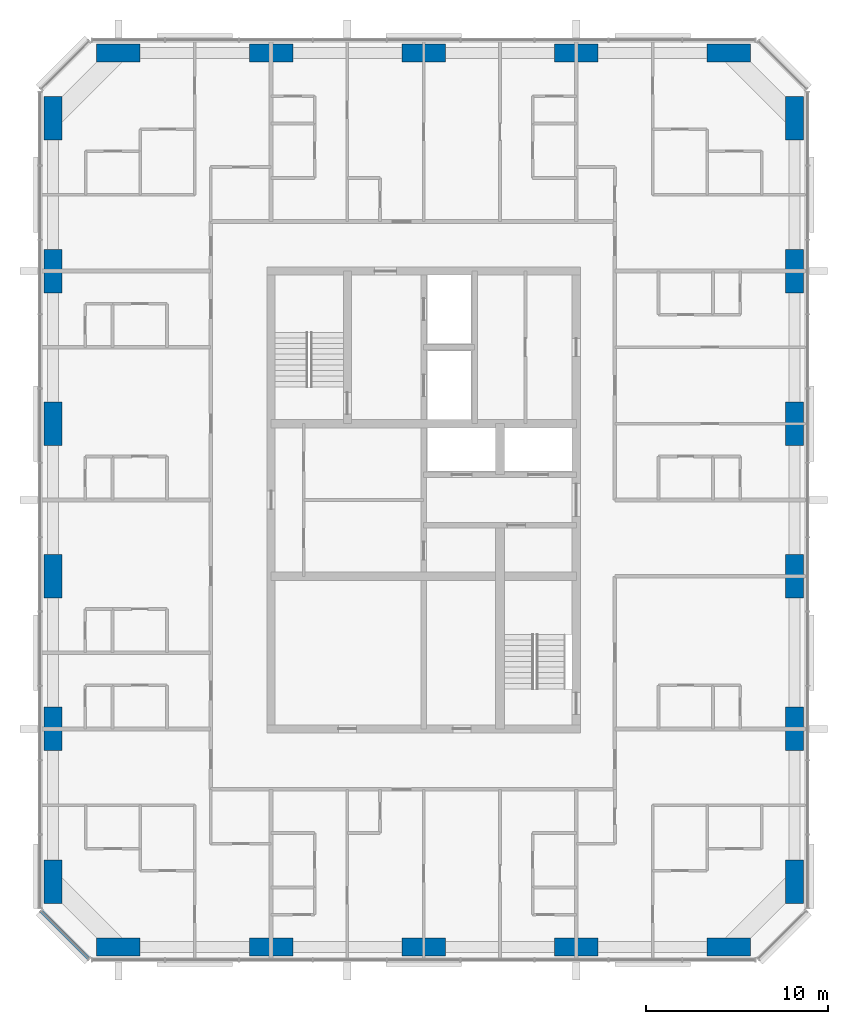
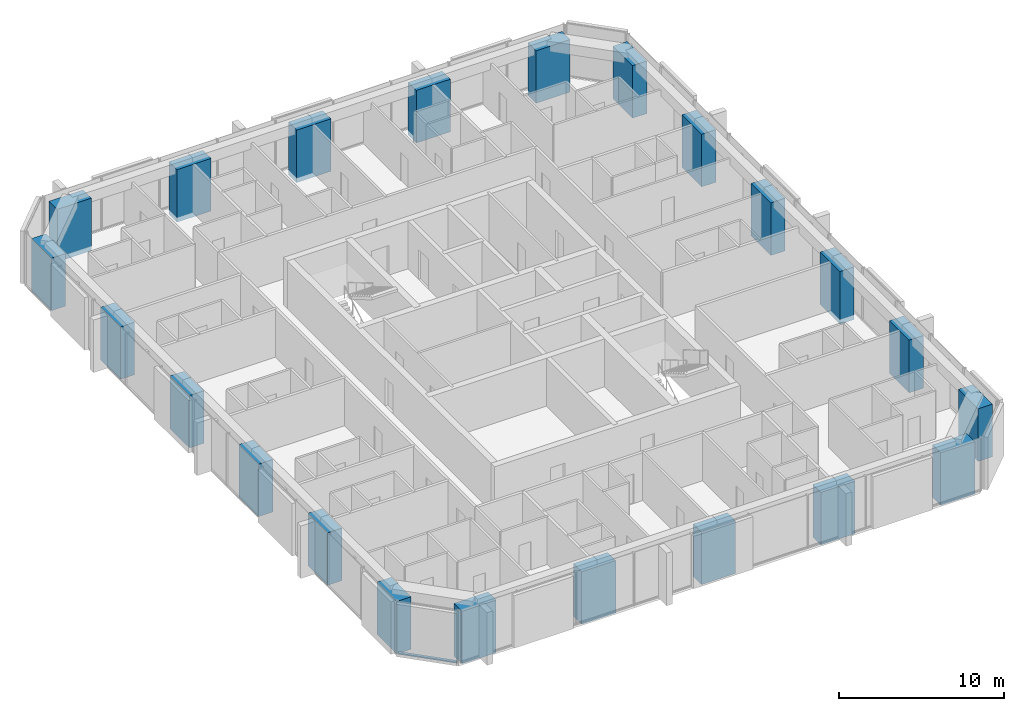
# One storey, part 1 of 13: 22 columns, 1 member, 1 element without a shape of its own.
"""IFC4 building model written with IfcOpenShell, lengths in metres."""

from ifc_helpers import new_model, si_unit, direction, frame, origin, origin_2d, place, context, subcontext, project, spatial, rectangle, extrude, material, material_profile, profile_set, type_object, element, aggregate, save


model = new_model("IFC4")

# Units and contexts
model_context = context("Model", 3, precision=1e-05, world=origin(), true_north=direction((0.0, 1.0)))
body_context = subcontext(model_context, "Body", "Model", "MODEL_VIEW")
ifc_project = project(units=[si_unit("LENGTHUNIT", "METRE"), si_unit("AREAUNIT", "SQUARE_METRE"), si_unit("VOLUMEUNIT", "CUBIC_METRE"), si_unit("PLANEANGLEUNIT", "RADIAN"), si_unit("MASSUNIT", "GRAM", prefix="KILO")], contexts=[model_context])

# Site, building, storey
site_placement = place(None, origin())
site = spatial("IfcSite", under=ifc_project, at=site_placement, CompositionType="ELEMENT")
building_placement = place(site_placement, origin())
building = spatial("IfcBuilding", under=site, at=building_placement, Name="Dunama Terrace Hotel", CompositionType="ELEMENT")
storey_placement = place(building_placement, frame((0.0, 0.0, 276.300048828125)))
storey = spatial("IfcBuildingStorey", under=building, at=storey_placement, Name="L71", CompositionType="ELEMENT", Elevation=276.300048828125)

# Columns
ifc_material_1 = material(Name="Concrete C50/60", Category="concrete")
ifc_material_profile_1 = material_profile(ifc_material_1, rectangle(XDim=1.0, YDim=2.39990234375, at=origin_2d()), Name="RC 1000x2400")
ifc_profile_set_1 = profile_set([ifc_material_profile_1], Name="Concrete C50/60")
column_type_1 = type_object("IfcColumnType", Name="Column RC 1000x2400", PredefinedType="COLUMN", material=ifc_profile_set_1)
for number, where, z_axis, x_axis, name in (
    (1, (13.199951171875, 8.39990234375, -0.35009765625), (0.0, 0.0, 1.0), (1.0, 0.0, 0.0), "Column L71 +13.2/+8.4"),
    (2, (13.199951171875, 16.800048828125, -0.35009765625), (0.0, 0.0, 1.0), (1.0, 0.0, 0.0), "Column L71 +13.2/+16.8"),
    (3, (13.199951171875, 25.199951171875, -0.35009765625), (0.0, 0.0, 1.0), (1.0, 0.0, 0.0), "Column L71 +13.2/+25.2"),
    (4, (13.199951171875, 33.60009765625, -0.35009765625), (0.0, 0.0, 1.0), (1.0, 0.0, 0.0), "Column L71 +13.2/+33.6"),
    (5, (13.199951171875, 42.0, -0.35009765625), (0.0, 0.0, 1.0), (1.0, 0.0, 0.0), "Column L71 +13.2/+42.0"),
    (6, (13.199951171875, 50.39990234375, -0.35009765625), (0.0, 0.0, 1.0), (1.0, 0.0, 0.0), "Column L71 +13.2/+50.4"),
    (7, (54.0, 8.39990234375, -0.35009765625), (0.0, 0.0, 1.0), (1.0, 0.0, 0.0), "Column L71 +54.0/+8.4"),
    (8, (54.0, 16.800048828125, -0.35009765625), (0.0, 0.0, 1.0), (1.0, 0.0, 0.0), "Column L71 +54.0/+16.8"),
    (9, (54.0, 25.199951171875, -0.35009765625), (0.0, 0.0, 1.0), (1.0, 0.0, 0.0), "Column L71 +54.0/+25.2"),
    (10, (54.0, 33.60009765625, -0.35009765625), (0.0, 0.0, 1.0), (1.0, 0.0, 0.0), "Column L71 +54.0/+33.6"),
    (11, (54.0, 42.0, -0.35009765625), (0.0, 0.0, 1.0), (1.0, 0.0, 0.0), "Column L71 +54.0/+42.0"),
    (12, (54.0, 50.39990234375, -0.35009765625), (0.0, 0.0, 1.0), (1.0, 0.0, 0.0), "Column L71 +54.0/+50.4"),
):
    element("IfcColumn", number, at=place(storey_placement, frame(where, z_axis=z_axis, x_axis=x_axis)), inside=storey, type_object=column_type_1, Name=name, PredefinedType="COLUMN", context=body_context, shape_type="SweptSolid", body=[
        extrude(rectangle(XDim=1.0, YDim=2.39990234375, at=origin_2d()), origin(), (0.0, 0.0, 1.0), 3.900146484375),
    ])
ifc_material_2 = material(Name="Concrete C50/60", Category="concrete")
ifc_material_profile_2 = material_profile(ifc_material_2, rectangle(XDim=2.39990234375, YDim=1.0, at=origin_2d()), Name="RC 2400x1000")
ifc_profile_set_2 = profile_set([ifc_material_profile_2], Name="Concrete C50/60")
column_type_2 = type_object("IfcColumnType", Name="Column RC 2400x1000", PredefinedType="COLUMN", material=ifc_profile_set_2)
for number, where, z_axis, x_axis, name in (
    (13, (16.800048828125, 4.800048828125, -0.35009765625), (0.0, 0.0, 1.0), (1.0, 0.0, 0.0), "Column L71 +16.8/+4.8"),
    (14, (16.800048828125, 54.0, -0.35009765625), (0.0, 0.0, 1.0), (1.0, 0.0, 0.0), "Column L71 +16.8/+54.0"),
    (15, (25.199951171875, 4.800048828125, -0.35009765625), (0.0, 0.0, 1.0), (1.0, 0.0, 0.0), "Column L71 +25.2/+4.8"),
    (16, (25.199951171875, 54.0, -0.35009765625), (0.0, 0.0, 1.0), (1.0, 0.0, 0.0), "Column L71 +25.2/+54.0"),
    (17, (33.60009765625, 4.800048828125, -0.35009765625), (0.0, 0.0, 1.0), (1.0, 0.0, 0.0), "Column L71 +33.6/+4.8"),
    (18, (33.60009765625, 54.0, -0.35009765625), (0.0, 0.0, 1.0), (1.0, 0.0, 0.0), "Column L71 +33.6/+54.0"),
    (19, (42.0, 4.800048828125, -0.35009765625), (0.0, 0.0, 1.0), (1.0, 0.0, 0.0), "Column L71 +42.0/+4.8"),
    (20, (42.0, 54.0, -0.35009765625), (0.0, 0.0, 1.0), (1.0, 0.0, 0.0), "Column L71 +42.0/+54.0"),
    (21, (50.39990234375, 4.800048828125, -0.35009765625), (0.0, 0.0, 1.0), (1.0, 0.0, 0.0), "Column L71 +50.4/+4.8"),
    (22, (50.39990234375, 54.0, -0.35009765625), (0.0, 0.0, 1.0), (1.0, 0.0, 0.0), "Column L71 +50.4/+54.0"),
):
    element("IfcColumn", number, at=place(storey_placement, frame(where, z_axis=z_axis, x_axis=x_axis)), inside=storey, type_object=column_type_2, Name=name, PredefinedType="COLUMN", context=body_context, shape_type="SweptSolid", body=[
        extrude(rectangle(XDim=2.39990234375, YDim=1.0, at=origin_2d()), origin(), (0.0, 0.0, 1.0), 3.900146484375),
    ])

# Curtain wall, member
ifc_material_3 = material(Name="Aluminium curtain wall system", Category="aluminium")
curtain_wall_type = type_object("IfcCurtainWallType", Name="Unitised fritted glass wall CW-D", PredefinedType="NOTDEFINED", material=ifc_material_3)
curtain_wall_placement = place(storey_placement, origin())
curtain_wall = element("IfcCurtainWall", 23, at=curtain_wall_placement, inside=storey, type_object=curtain_wall_type, Name="Unitised fritted glass wall CW-D L71", PredefinedType="NOTDEFINED")
ifc_material_4 = material(Name="Aluminium transom", Category="aluminium")
ifc_material_profile_3 = material_profile(ifc_material_4, rectangle(XDim=0.199951171875, YDim=0.0849609375, at=origin_2d()), Name="CWD TRANSOM 200X85")
ifc_profile_set_3 = profile_set([ifc_material_profile_3], Name="Aluminium transom")
member_type = type_object("IfcMemberType", Name="CWD transom 200x85", PredefinedType="USERDEFINED", material=ifc_profile_set_3)
member_placement = place(storey_placement, frame((12.56494140625, 6.76611328125, 0.04248046875), z_axis=(0.707106781187, -0.707106781187, 0.0), x_axis=(0.707106781187, 0.707106781187, 0.0)))
member = element("IfcMember", 24, at=member_placement, type_object=member_type, Name="CWD transom", ObjectType="TRANSOM", PredefinedType="USERDEFINED", context=body_context, shape_type="SweptSolid", body=[
    extrude(rectangle(XDim=0.199951171875, YDim=0.0849609375, at=origin_2d()), origin(), (0.0, 0.0, 1.0), 3.678466796875),
])
aggregate(curtain_wall, [member])

save(model, "model.ifc")
